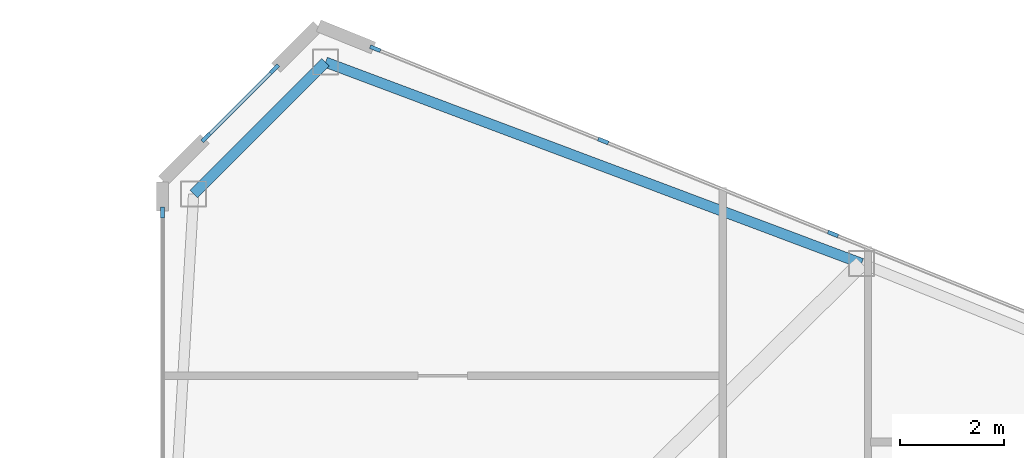
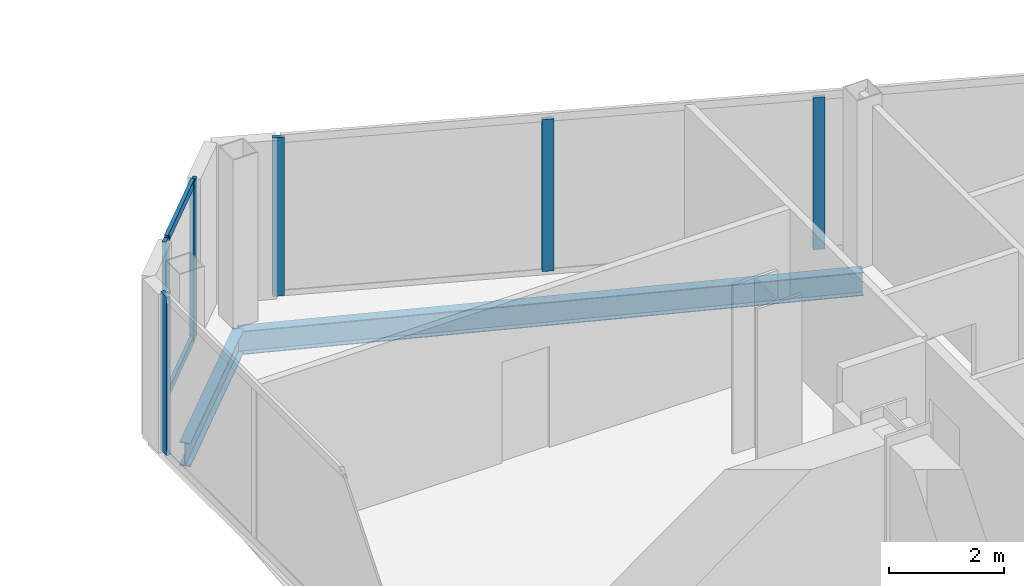
# One storey, part 13 of 25: 8 members, 2 beams, 3 elements without a shape of their own.
"""IFC4 building model written with IfcOpenShell, lengths in metres."""

from ifc_helpers import new_model, si_unit, direction, frame, origin, origin_2d, place, context, subcontext, project, spatial, rectangle, i_section, extrude, source, transform, mapped, material, layer, layer_set, material_profile, profile_set, type_object, type_shapes, element, aggregate, save


model = new_model("IFC4")

# Units and contexts
model_context = context("Model", 3, precision=1e-05, world=origin(), true_north=direction((0.0, 1.0)))
body_context = subcontext(model_context, "Body", "Model", "MODEL_VIEW")
ifc_project = project(units=[si_unit("LENGTHUNIT", "METRE"), si_unit("AREAUNIT", "SQUARE_METRE"), si_unit("VOLUMEUNIT", "CUBIC_METRE"), si_unit("PLANEANGLEUNIT", "RADIAN"), si_unit("MASSUNIT", "GRAM", prefix="KILO")], contexts=[model_context])

# Site, building, storey
site_placement = place(None, origin())
site = spatial("IfcSite", under=ifc_project, at=site_placement, CompositionType="ELEMENT")
building_placement = place(site_placement, origin())
building = spatial("IfcBuilding", under=site, at=building_placement, Name="Seokmaru Belvedere", CompositionType="ELEMENT")
storey_placement = place(building_placement, frame((0.0, 0.0, 40.5)))
storey = spatial("IfcBuildingStorey", under=building, at=storey_placement, Name="L10", CompositionType="ELEMENT", Elevation=40.5)

# Beams
ifc_material_1 = material(Name="Steel SM355 (355 MPa)", Category="steel")
ifc_material_profile_1 = material_profile(ifc_material_1, i_section(OverallWidth=0.199951171875, OverallDepth=0.5, WebThickness=0.010009765625, FlangeThickness=0.01611328125, at=origin_2d()), Name="H-500x200x10x16")
ifc_profile_set_1 = profile_set([ifc_material_profile_1], Name="Steel SM355 (355 MPa)")
beam_type = type_object("IfcBeamType", Name="Perimeter Spandrel Beam H-500", PredefinedType="SPANDREL", material=ifc_profile_set_1)
shared_shape_1 = source(origin(), body_context, "Body", "SweptSolid", [
    extrude(i_section(OverallWidth=0.199951171875, OverallDepth=0.5, WebThickness=0.010009765625, FlangeThickness=0.01611328125, at=origin_2d()), origin(), (0.0, 0.0, 1.0), 11.03857421875),
])
beam_1_placement = place(storey_placement, frame((30.643310546875, 26.294677734375, -0.469970703125), z_axis=(0.936169110734, -0.351549990907, 0.0), x_axis=(0.351549990907, 0.936169110734, 0.0)))
element("IfcBeam", 1, at=beam_1_placement, inside=storey, type_object=beam_type, Name="L10 E Faceted Flank Spandrel N-1", PredefinedType="SPANDREL", context=body_context, shape_type="MappedRepresentation", body=[
    mapped(shared_shape_1, transform((0.0, 0.0, 0.0), scale=1.0)),
])
shared_shape_2 = source(origin(), body_context, "Body", "SweptSolid", [
    extrude(i_section(OverallWidth=0.199951171875, OverallDepth=0.5, WebThickness=0.010009765625, FlangeThickness=0.01611328125, at=origin_2d()), origin(), (0.0, 0.0, 1.0), 3.5966796875),
])
type_shapes(beam_type, [shared_shape_1, shared_shape_2])
beam_2_placement = place(storey_placement, frame((30.643310546875, 26.294677734375, -0.469970703125), z_axis=(-0.707106781187, -0.707106781187, 0.0), x_axis=(0.707106781187, -0.707106781187, 0.0)))
element("IfcBeam", 2, at=beam_2_placement, inside=storey, type_object=beam_type, Name="L10 E Shoulder Chamfer Spandrel N", PredefinedType="SPANDREL", context=body_context, shape_type="MappedRepresentation", body=[
    mapped(shared_shape_2, transform((0.0, 0.0, 0.0), scale=1.0)),
])

# Curtain wall, members
ifc_material_2 = material(Name="Bronze Triple Insulating Glass", Category="glass")
ifc_layer = layer(ifc_material_2, 0.2099609375)
ifc_layer_set = layer_set([ifc_layer], Name="Bronze Triple Insulating Glass")
curtain_wall_type = type_object("IfcCurtainWallType", Name="Low-Rise Faceted Crystal Curtain Wall System CW-2", PredefinedType="NOTDEFINED", material=ifc_layer_set)
curtain_wall_1_placement = place(storey_placement, origin())
curtain_wall_1 = element("IfcCurtainWall", 3, at=curtain_wall_1_placement, inside=storey, type_object=curtain_wall_type, Name="L10 Curtain Wall EF4", PredefinedType="NOTDEFINED")
ifc_material_3 = material(Name="Anodised Bronze Aluminium", Category="aluminium")
ifc_material_profile_2 = material_profile(ifc_material_3, rectangle(XDim=0.070068359375, YDim=0.1650390625, at=origin_2d()), Name="CW-T-70x165")
ifc_profile_set_2 = profile_set([ifc_material_profile_2], Name="Anodised Bronze Aluminium")
member_type_1 = type_object("IfcMemberType", Name="Bronze Unitised Transom 70x165", PredefinedType="USERDEFINED", material=ifc_profile_set_2)
shared_shape_3 = source(origin(), body_context, "Body", "SweptSolid", [
    extrude(rectangle(XDim=0.070068359375, YDim=0.1650390625, at=origin_2d()), origin(), (0.0, 0.0, 1.0), 1.792724609375),
])
type_shapes(member_type_1, [shared_shape_3])
member_1_placement = place(storey_placement, frame((29.6337890625, 26.1337890625, 0.034912109375), z_axis=(-0.707106781187, -0.707106781187, 0.0), x_axis=(0.707106781187, -0.707106781187, 0.0)))
member_1 = element("IfcMember", 4, at=member_1_placement, type_object=member_type_1, Name="CW:L10:EF4 Continuous Transom 1", ObjectType="TRANSOM", PredefinedType="USERDEFINED", context=body_context, shape_type="MappedRepresentation", body=[
    mapped(shared_shape_3, transform((0.0, 0.0, 0.0), scale=1.0)),
])
member_2_placement = place(storey_placement, frame((29.6337890625, 26.1337890625, 3.344970703125), z_axis=(-0.707106781187, -0.707106781187, 0.0), x_axis=(0.707106781187, -0.707106781187, 0.0)))
member_2 = element("IfcMember", 5, at=member_2_placement, type_object=member_type_1, Name="CW:L10:EF4 Continuous Transom 2", ObjectType="TRANSOM", PredefinedType="USERDEFINED", context=body_context, shape_type="MappedRepresentation", body=[
    mapped(shared_shape_3, transform((0.0, 0.0, 0.0), scale=1.0)),
])

curtain_wall_2_placement = place(storey_placement, origin())
curtain_wall_2 = element("IfcCurtainWall", 6, at=curtain_wall_2_placement, inside=storey, type_object=curtain_wall_type, Name="L10 Curtain Wall EF3", PredefinedType="NOTDEFINED")
ifc_material_profile_3 = material_profile(ifc_material_3, rectangle(XDim=0.074951171875, YDim=0.2099609375, at=origin_2d()), Name="CW-M-75x210")
ifc_profile_set_3 = profile_set([ifc_material_profile_3], Name="Anodised Bronze Aluminium")
member_type_2 = type_object("IfcMemberType", Name="Bronze Unitised Mullion 75x210", PredefinedType="MULLION", material=ifc_profile_set_3)
shared_shape_4 = source(origin(), body_context, "Body", "SweptSolid", [
    extrude(rectangle(XDim=0.074951171875, YDim=0.2099609375, at=origin_2d()), origin(), (0.0, 0.0, 1.0), 3.239990234375),
])
member_3_placement = place(storey_placement, frame((40.425537109375, 22.982421875, 0.070068359375), z_axis=(0.0, 0.0, 1.0), x_axis=(-0.375192321888, -0.926946989637, 0.0)))
member_3 = element("IfcMember", 7, at=member_3_placement, type_object=member_type_2, Name="CW:L10:EF3 Mullion 8", PredefinedType="MULLION", context=body_context, shape_type="MappedRepresentation", body=[
    mapped(shared_shape_4, transform((0.0, 0.0, 0.0), scale=1.0)),
])
member_4_placement = place(storey_placement, frame((35.995849609375, 24.775390625, 0.070068359375), z_axis=(0.0, 0.0, 1.0), x_axis=(-0.375192321888, -0.926946989637, 0.0)))
member_4 = element("IfcMember", 8, at=member_4_placement, type_object=member_type_2, Name="CW:L10:EF3 Mullion 9", PredefinedType="MULLION", context=body_context, shape_type="MappedRepresentation", body=[
    mapped(shared_shape_4, transform((0.0, 0.0, 0.0), scale=1.0)),
])
shared_shape_5 = source(origin(), body_context, "Body", "SweptSolid", [
    extrude(rectangle(XDim=0.074951171875, YDim=0.2099609375, at=origin_2d()), origin(), (0.0, 0.0, 1.0), 3.3798828125),
])
type_shapes(member_type_2, [shared_shape_4, shared_shape_5])
member_5_placement = place(storey_placement, frame((31.600830078125, 26.554443359375, 0.0), z_axis=(0.0, 0.0, 1.0), x_axis=(-0.375192321888, -0.926946989637, 0.0)))
member_5 = element("IfcMember", 9, at=member_5_placement, type_object=member_type_2, Name="CW:L10:EF3 Mullion 10", PredefinedType="MULLION", context=body_context, shape_type="MappedRepresentation", body=[
    mapped(shared_shape_5, transform((0.0, 0.0, 0.0), scale=1.0)),
])
aggregate(curtain_wall_2, [member_3, member_4, member_5])

# Member
member_6_placement = place(storey_placement, frame((29.660400390625, 26.160400390625, 0.0), z_axis=(0.0, 0.0, 1.0), x_axis=(0.707106781187, -0.707106781187, 0.0)))
member_6 = element("IfcMember", 10, at=member_6_placement, type_object=member_type_2, Name="CW:L10:EF4 Mullion 1", PredefinedType="MULLION", context=body_context, shape_type="MappedRepresentation", body=[
    mapped(shared_shape_5, transform((0.0, 0.0, 0.0), scale=1.0)),
])

member_7_placement = place(storey_placement, frame((28.339599609375, 24.839599609375, 0.0), z_axis=(0.0, 0.0, 1.0), x_axis=(0.707106781187, -0.707106781187, 0.0)))
member_7 = element("IfcMember", 11, at=member_7_placement, type_object=member_type_2, Name="CW:L10:EF4 Mullion 2", PredefinedType="MULLION", context=body_context, shape_type="MappedRepresentation", body=[
    mapped(shared_shape_5, transform((0.0, 0.0, 0.0), scale=1.0)),
])

aggregate(curtain_wall_1, [member_6, member_7, member_1, member_2])

# Curtain wall, member
curtain_wall_3_placement = place(storey_placement, origin())
curtain_wall_3 = element("IfcCurtainWall", 12, at=curtain_wall_3_placement, inside=storey, type_object=curtain_wall_type, Name="L10 Curtain Wall ESP_2", PredefinedType="NOTDEFINED")
member_8_placement = place(storey_placement, frame((27.5, 23.392578125, 0.0), z_axis=(0.0, 0.0, 1.0), x_axis=(1.0, 0.0, 0.0)))
member_8 = element("IfcMember", 13, at=member_8_placement, type_object=member_type_2, Name="CW:L10:ESP_2 Mullion 1", PredefinedType="MULLION", context=body_context, shape_type="MappedRepresentation", body=[
    mapped(shared_shape_5, transform((0.0, 0.0, 0.0), scale=1.0)),
])
aggregate(curtain_wall_3, [member_8])

save(model, "model.ifc")
